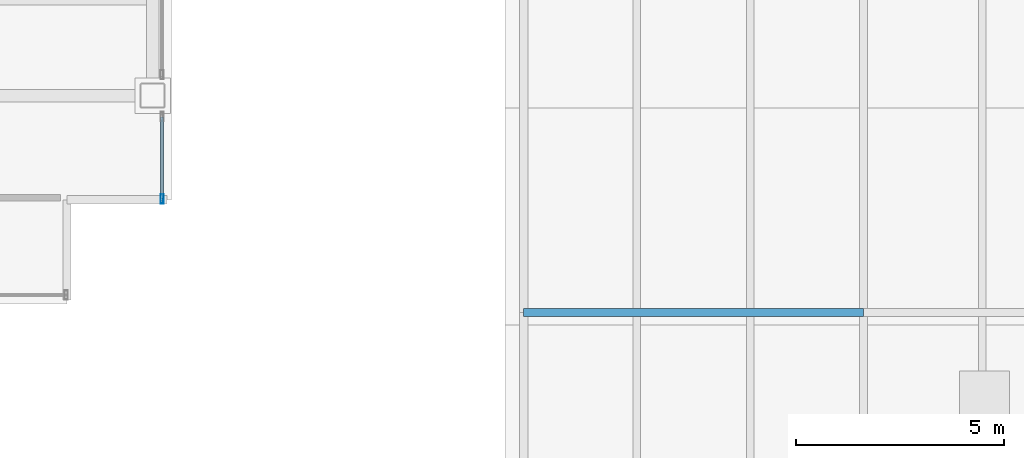
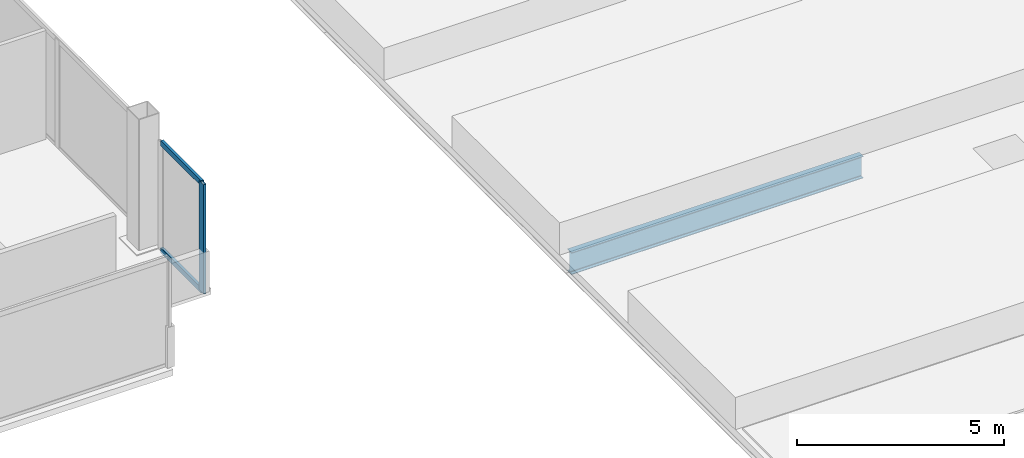
# One storey, part 10 of 30: 3 members, 1 beam, 1 element without a shape of its own.
"""IFC4 building model written with IfcOpenShell, lengths in metres."""

from ifc_helpers import new_model, si_unit, direction, frame, origin, origin_2d, place, context, subcontext, project, spatial, hollow_rectangle, i_section, extrude, material, material_profile, profile_set, type_object, element, aggregate, save


model = new_model("IFC4")

# Units and contexts
model_context = context("Model", 3, precision=1e-05, world=origin(), true_north=direction((0.0, 1.0)))
body_context = subcontext(model_context, "Body", "Model", "MODEL_VIEW")
ifc_project = project(units=[si_unit("LENGTHUNIT", "METRE"), si_unit("AREAUNIT", "SQUARE_METRE"), si_unit("VOLUMEUNIT", "CUBIC_METRE"), si_unit("PLANEANGLEUNIT", "RADIAN"), si_unit("MASSUNIT", "GRAM", prefix="KILO")], contexts=[model_context])

# Site, building, storey
site_placement = place(None, origin())
site = spatial("IfcSite", under=ifc_project, at=site_placement, CompositionType="ELEMENT")
building_placement = place(site_placement, origin())
building = spatial("IfcBuilding", under=site, at=building_placement, Name="Noeulbin Bourse Tower", CompositionType="ELEMENT")
storey_placement = place(building_placement, frame((0.0, 0.0, 26.5)))
storey = spatial("IfcBuildingStorey", under=building, at=storey_placement, Name="L06", CompositionType="ELEMENT", Elevation=26.5)

# Beam
ifc_material_1 = material(Name="Steel S355", Category="steel")
ifc_material_profile_1 = material_profile(ifc_material_1, i_section(OverallWidth=0.199951171875, OverallDepth=0.64990234375, WebThickness=0.010986328125, FlangeThickness=0.01904296875, FilletRadius=0.02197265625, at=origin_2d()), Name="H-650x200x11x19", Category="LoadBearing")
ifc_profile_set_1 = profile_set([ifc_material_profile_1], Name="Steel S355")
beam_type = type_object("IfcBeamType", Name="BM-GRD-650", PredefinedType="USERDEFINED", material=ifc_profile_set_1)
beam_placement = place(storey_placement, frame((60.449951171875, 14.800048828125, -0.534912109375), z_axis=(1.0, 0.0, 0.0), x_axis=(0.0, 1.0, 0.0)))
element("IfcBeam", 1, at=beam_placement, inside=storey, type_object=beam_type, Name="Market Hall Girder EW L06-03", ObjectType="GIRDER", PredefinedType="USERDEFINED", context=body_context, shape_type="SweptSolid", body=[
    extrude(i_section(OverallWidth=0.199951171875, OverallDepth=0.64990234375, WebThickness=0.010986328125, FlangeThickness=0.01904296875, FilletRadius=0.02197265625, at=origin_2d()), origin(), (0.0, 0.0, 1.0), 8.150146484375),
])

# Curtain wall, members
ifc_material_2 = material(Name="Dark Solar-Control Double Glazing", Category="glass")
curtain_wall_type = type_object("IfcCurtainWallType", Name="CW-SYS-2", PredefinedType="NOTDEFINED", material=ifc_material_2)
curtain_wall_placement = place(storey_placement, origin())
curtain_wall = element("IfcCurtainWall", 2, at=curtain_wall_placement, inside=storey, type_object=curtain_wall_type, Name="Unitised Curtain Wall CW-L06-E-S1", PredefinedType="NOTDEFINED")
ifc_material_3 = material(Name="Anodised Aluminium 6063-T6", Category="aluminium")
ifc_material_profile_2 = material_profile(ifc_material_3, hollow_rectangle(XDim=0.074951171875, YDim=0.219970703125, WallThickness=0.0048828125, InnerFilletRadius=0.00244140625, OuterFilletRadius=0.0048828125, at=origin_2d()), Name="ALU-MULL-75x220x5", Category="LoadBearing")
ifc_profile_set_2 = profile_set([ifc_material_profile_2], Name="Anodised Aluminium 6063-T6")
member_type_1 = type_object("IfcMemberType", Name="CW-SYS-2-MUL", PredefinedType="MULLION", material=ifc_profile_set_2)
member_1_placement = place(storey_placement, frame((51.780029296875, 17.52001953125, -0.02001953125), z_axis=(0.0, 0.0, 1.0), x_axis=(1.0, 0.0, 0.0)))
member_1 = element("IfcMember", 3, at=member_1_placement, type_object=member_type_1, Name="Curtain Wall Mullion CW-L06-E-S1-M00", PredefinedType="MULLION", context=body_context, shape_type="SweptSolid", body=[
    extrude(hollow_rectangle(XDim=0.074951171875, YDim=0.219970703125, WallThickness=0.0048828125, InnerFilletRadius=0.00244140625, OuterFilletRadius=0.0048828125, at=origin_2d()), origin(), (0.0, 0.0, 1.0), 3.219970703125),
])
ifc_material_profile_3 = material_profile(ifc_material_3, hollow_rectangle(XDim=0.074951171875, YDim=0.159912109375, WallThickness=0.0048828125, InnerFilletRadius=0.00244140625, OuterFilletRadius=0.0048828125, at=origin_2d()), Name="ALU-TRAN-75x160x5", Category="LoadBearing")
ifc_profile_set_3 = profile_set([ifc_material_profile_3], Name="Anodised Aluminium 6063-T6")
member_type_2 = type_object("IfcMemberType", Name="CW-SYS-2-TRN", PredefinedType="USERDEFINED", material=ifc_profile_set_3)
member_2_placement = place(storey_placement, frame((51.780029296875, 17.530029296875, 0.010009765625), z_axis=(0.0, 1.0, 0.0), x_axis=(-1.0, 0.0, 0.0)))
member_2 = element("IfcMember", 4, at=member_2_placement, type_object=member_type_2, Name="Curtain Wall Transom CW-L06-E-S1-T00", ObjectType="TRANSOM", PredefinedType="USERDEFINED", context=body_context, shape_type="SweptSolid", body=[
    extrude(hollow_rectangle(XDim=0.074951171875, YDim=0.159912109375, WallThickness=0.0048828125, InnerFilletRadius=0.00244140625, OuterFilletRadius=0.0048828125, at=origin_2d()), origin(), (0.0, 0.0, 1.0), 1.9599609375),
])
member_3_placement = place(storey_placement, frame((51.780029296875, 17.530029296875, 3.169921875), z_axis=(0.0, 1.0, 0.0), x_axis=(-1.0, 0.0, 0.0)))
member_3 = element("IfcMember", 5, at=member_3_placement, type_object=member_type_2, Name="Curtain Wall Transom CW-L06-E-S1-T01", ObjectType="TRANSOM", PredefinedType="USERDEFINED", context=body_context, shape_type="SweptSolid", body=[
    extrude(hollow_rectangle(XDim=0.074951171875, YDim=0.159912109375, WallThickness=0.0048828125, InnerFilletRadius=0.00244140625, OuterFilletRadius=0.0048828125, at=origin_2d()), origin(), (0.0, 0.0, 1.0), 1.9599609375),
])
aggregate(curtain_wall, [member_1, member_2, member_3])

save(model, "model.ifc")
